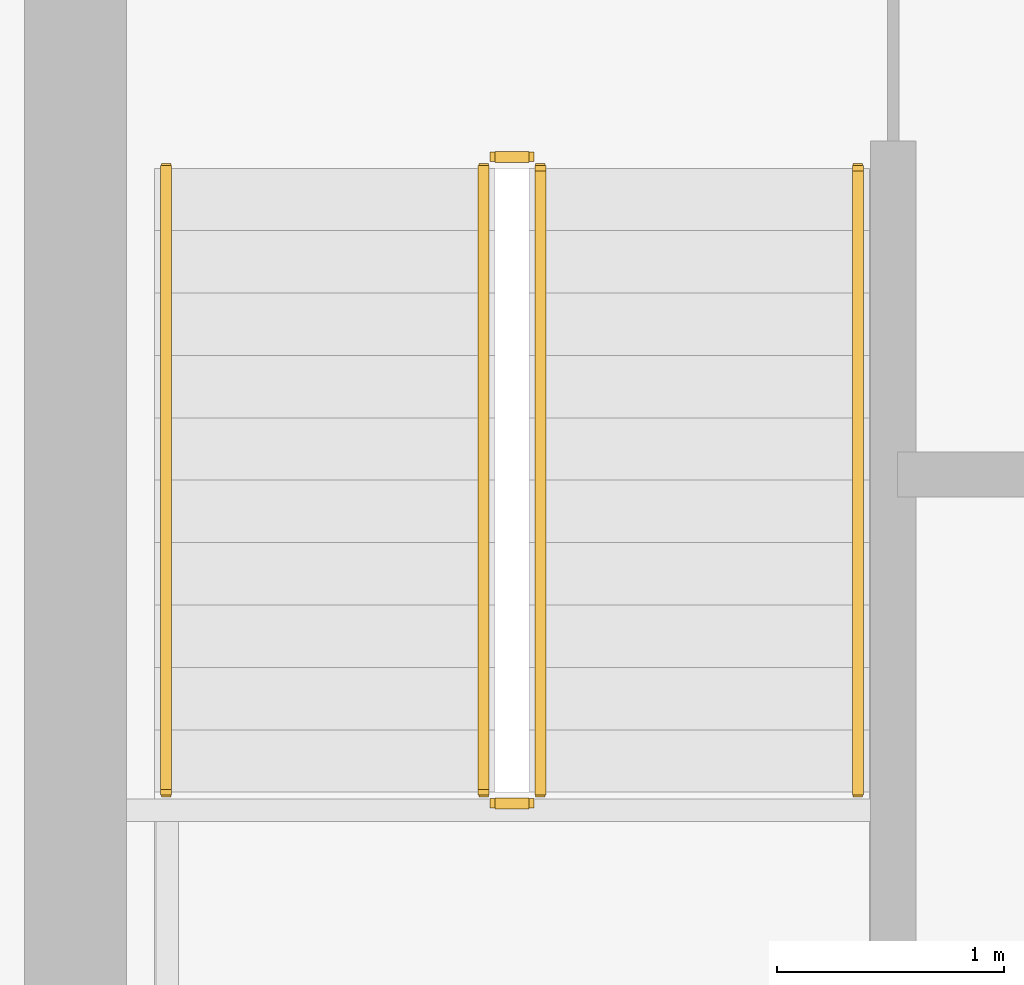
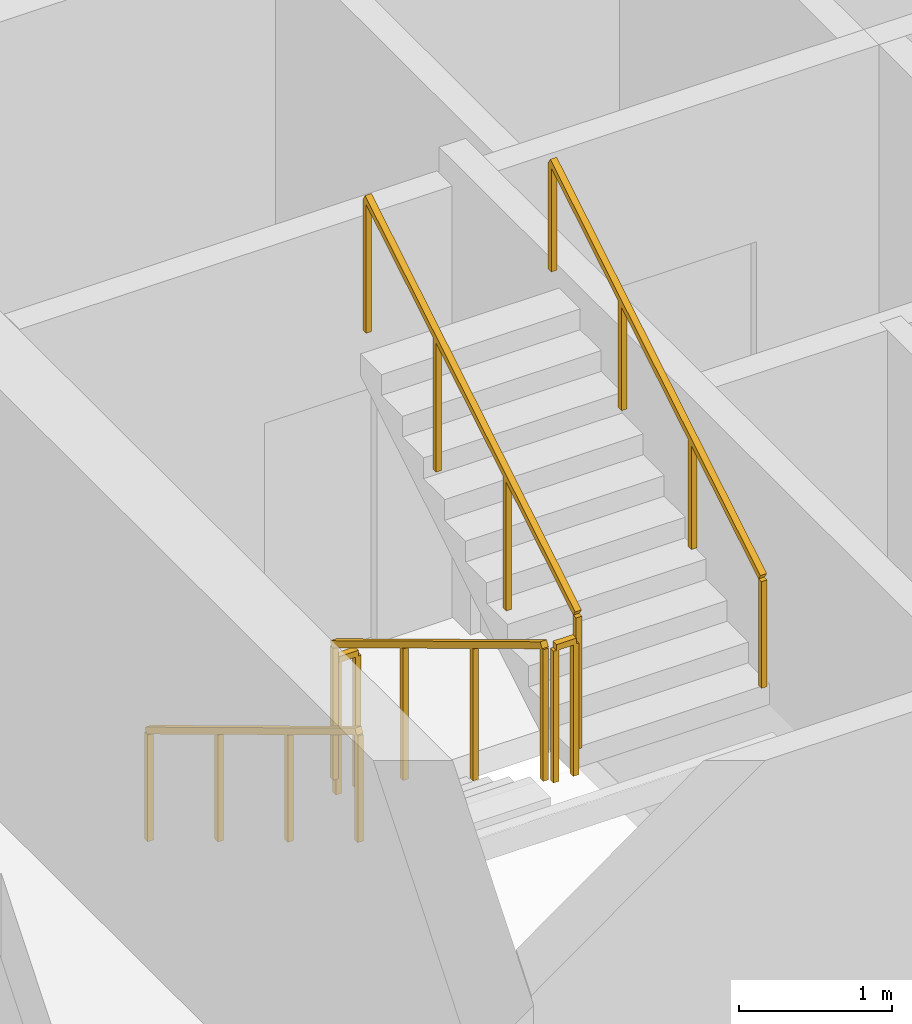
# One storey, part 8 of 10: 6 railings.
"""IFC4 building model written with IfcOpenShell, lengths in metres."""

from ifc_helpers import new_model, si_unit, direction, frame, origin, origin_2d, place, context, subcontext, project, spatial, rectangle, extrude, material, type_object, element, save


model = new_model("IFC4")

# Units and contexts
model_context = context("Model", 3, precision=1e-05, world=origin(), true_north=direction((0.0, 1.0)))
body_context = subcontext(model_context, "Body", "Model", "MODEL_VIEW")
ifc_project = project(units=[si_unit("LENGTHUNIT", "METRE"), si_unit("AREAUNIT", "SQUARE_METRE"), si_unit("VOLUMEUNIT", "CUBIC_METRE"), si_unit("PLANEANGLEUNIT", "RADIAN"), si_unit("MASSUNIT", "GRAM", prefix="KILO")], contexts=[model_context])

# Site, building, storey
site_placement = place(None, origin())
site = spatial("IfcSite", under=ifc_project, at=site_placement, CompositionType="ELEMENT")
building_placement = place(site_placement, origin())
building = spatial("IfcBuilding", under=site, at=building_placement, Name="Cinnabar Lancet Tower", CompositionType="ELEMENT")
storey_placement = place(building_placement, frame((0.0, 0.0, 227.0)))
storey = spatial("IfcBuildingStorey", under=building, at=storey_placement, Name="L60", CompositionType="ELEMENT", Elevation=227.0)

# Railings
ifc_material_1 = material(Name="Painted galvanized steel balustrade", Category="steel")
railing_type_1 = type_object("IfcRailingType", Name="GUARD-STAIR", PredefinedType="GUARDRAIL", material=ifc_material_1)
railing_1_placement = place(storey_placement, frame((24.97509765625, 28.39990234375, 0.166015625)))
element("IfcRailing", 1, at=railing_1_placement, inside=storey, type_object=railing_type_1, Name="L60 ST-1 stair guard 1", PredefinedType="GUARDRAIL", context=body_context, shape_type="SweptSolid", body=[
    extrude(rectangle(XDim=0.048095703125, YDim=0.048095703125, at=origin_2d()), frame((0.0, 0.0, 1.076171875), z_axis=(0.0, -0.856263023582, 0.516540060834), x_axis=(1.0, 0.0, 0.0)), (0.0, 0.0, 1.0), 3.211669921875),
    extrude(rectangle(XDim=0.0419921875, YDim=0.0419921875, at=origin_2d()), origin(), (0.0, 0.0, 1.0), 1.052001953125),
    extrude(rectangle(XDim=0.0419921875, YDim=0.0419921875, at=origin_2d()), frame((0.0, -0.916748046875, 0.552978515625)), (0.0, 0.0, 1.0), 1.052001953125),
    extrude(rectangle(XDim=0.0419921875, YDim=0.0419921875, at=origin_2d()), frame((0.0, -1.833251953125, 1.10595703125)), (0.0, 0.0, 1.0), 1.052001953125),
    extrude(rectangle(XDim=0.0419921875, YDim=0.0419921875, at=origin_2d()), frame((0.0, -2.75, 1.658935546875)), (0.0, 0.0, 1.0), 1.052001953125),
])
railing_2_placement = place(storey_placement, frame((25.02490234375, 25.60009765625, 1.824951171875)))
element("IfcRailing", 2, at=railing_2_placement, inside=storey, type_object=railing_type_1, Name="L60 ST-1 stair guard 2", PredefinedType="GUARDRAIL", context=body_context, shape_type="SweptSolid", body=[
    extrude(rectangle(XDim=0.048095703125, YDim=0.048095703125, at=origin_2d()), frame((0.0, 0.0, 1.076171875), z_axis=(1.0, 0.0, 0.0), x_axis=(0.0, 1.0, 0.0)), (0.0, 0.0, 1.0), 0.150146484375),
    extrude(rectangle(XDim=0.0419921875, YDim=0.0419921875, at=origin_2d()), origin(), (0.0, 0.0, 1.0), 1.052001953125),
    extrude(rectangle(XDim=0.0419921875, YDim=0.0419921875, at=origin_2d()), frame((0.150146484375, 0.0, 0.0)), (0.0, 0.0, 1.0), 1.052001953125),
])
railing_3_placement = place(storey_placement, frame((25.22509765625, 25.64990234375, 1.990966796875)))
element("IfcRailing", 3, at=railing_3_placement, inside=storey, type_object=railing_type_1, Name="L60 ST-1 stair guard 3", PredefinedType="GUARDRAIL", context=body_context, shape_type="SweptSolid", body=[
    extrude(rectangle(XDim=0.048095703125, YDim=0.048095703125, at=origin_2d()), frame((0.0, 0.0, 1.076171875), z_axis=(0.0, 0.856263023582, 0.516540060834), x_axis=(-1.0, 0.0, 0.0)), (0.0, 0.0, 1.0), 3.211669921875),
    extrude(rectangle(XDim=0.0419921875, YDim=0.0419921875, at=origin_2d()), origin(), (0.0, 0.0, 1.0), 1.052001953125),
    extrude(rectangle(XDim=0.0419921875, YDim=0.0419921875, at=origin_2d()), frame((0.0, 0.916748046875, 0.552978515625)), (0.0, 0.0, 1.0), 1.052001953125),
    extrude(rectangle(XDim=0.0419921875, YDim=0.0419921875, at=origin_2d()), frame((0.0, 1.833251953125, 1.10595703125)), (0.0, 0.0, 1.0), 1.052001953125),
    extrude(rectangle(XDim=0.0419921875, YDim=0.0419921875, at=origin_2d()), frame((0.0, 2.75, 1.658935546875)), (0.0, 0.0, 1.0), 1.052001953125),
])
railing_4_placement = place(storey_placement, frame((25.02490234375, 28.449951171875, 0.0)))
element("IfcRailing", 4, at=railing_4_placement, inside=storey, type_object=railing_type_1, Name="L60 ST-1 stair guard 4", PredefinedType="GUARDRAIL", context=body_context, shape_type="SweptSolid", body=[
    extrude(rectangle(XDim=0.048095703125, YDim=0.048095703125, at=origin_2d()), frame((0.0, 0.0, 1.076171875), z_axis=(1.0, 0.0, 0.0), x_axis=(0.0, 1.0, 0.0)), (0.0, 0.0, 1.0), 0.150146484375),
    extrude(rectangle(XDim=0.0419921875, YDim=0.0419921875, at=origin_2d()), origin(), (0.0, 0.0, 1.0), 1.052001953125),
    extrude(rectangle(XDim=0.0419921875, YDim=0.0419921875, at=origin_2d()), frame((0.150146484375, 0.0, 0.0)), (0.0, 0.0, 1.0), 1.052001953125),
])
ifc_material_2 = material(Name="Brushed stainless steel handrail", Category="steel")
railing_type_2 = type_object("IfcRailingType", Name="HANDRAIL-STAIR", PredefinedType="HANDRAIL", material=ifc_material_2)
railing_5_placement = place(storey_placement, frame((23.574951171875, 28.39990234375, 0.166015625)))
element("IfcRailing", 5, at=railing_5_placement, inside=storey, type_object=railing_type_2, Name="L60 ST-1 stair handrail 1", PredefinedType="HANDRAIL", context=body_context, shape_type="SweptSolid", body=[
    extrude(rectangle(XDim=0.048095703125, YDim=0.048095703125, at=origin_2d()), frame((0.0, 0.0, 0.8759765625), z_axis=(0.0, -0.856263023582, 0.516540060834), x_axis=(1.0, 0.0, 0.0)), (0.0, 0.0, 1.0), 3.211669921875),
    extrude(rectangle(XDim=0.0419921875, YDim=0.0419921875, at=origin_2d()), origin(), (0.0, 0.0, 1.0), 0.851806640625),
    extrude(rectangle(XDim=0.0419921875, YDim=0.0419921875, at=origin_2d()), frame((0.0, -0.916748046875, 0.552978515625)), (0.0, 0.0, 1.0), 0.851806640625),
    extrude(rectangle(XDim=0.0419921875, YDim=0.0419921875, at=origin_2d()), frame((0.0, -1.833251953125, 1.10595703125)), (0.0, 0.0, 1.0), 0.851806640625),
    extrude(rectangle(XDim=0.0419921875, YDim=0.0419921875, at=origin_2d()), frame((0.0, -2.75, 1.658935546875)), (0.0, 0.0, 1.0), 0.851806640625),
])
railing_6_placement = place(storey_placement, frame((26.625, 25.64990234375, 1.990966796875)))
element("IfcRailing", 6, at=railing_6_placement, inside=storey, type_object=railing_type_2, Name="L60 ST-1 stair handrail 2", PredefinedType="HANDRAIL", context=body_context, shape_type="SweptSolid", body=[
    extrude(rectangle(XDim=0.048095703125, YDim=0.048095703125, at=origin_2d()), frame((0.0, 0.0, 0.8759765625), z_axis=(0.0, 0.856263023582, 0.516540060834), x_axis=(-1.0, 0.0, 0.0)), (0.0, 0.0, 1.0), 3.211669921875),
    extrude(rectangle(XDim=0.0419921875, YDim=0.0419921875, at=origin_2d()), origin(), (0.0, 0.0, 1.0), 0.851806640625),
    extrude(rectangle(XDim=0.0419921875, YDim=0.0419921875, at=origin_2d()), frame((0.0, 0.916748046875, 0.552978515625)), (0.0, 0.0, 1.0), 0.851806640625),
    extrude(rectangle(XDim=0.0419921875, YDim=0.0419921875, at=origin_2d()), frame((0.0, 1.833251953125, 1.10595703125)), (0.0, 0.0, 1.0), 0.851806640625),
    extrude(rectangle(XDim=0.0419921875, YDim=0.0419921875, at=origin_2d()), frame((0.0, 2.75, 1.658935546875)), (0.0, 0.0, 1.0), 0.851806640625),
])

save(model, "model.ifc")
